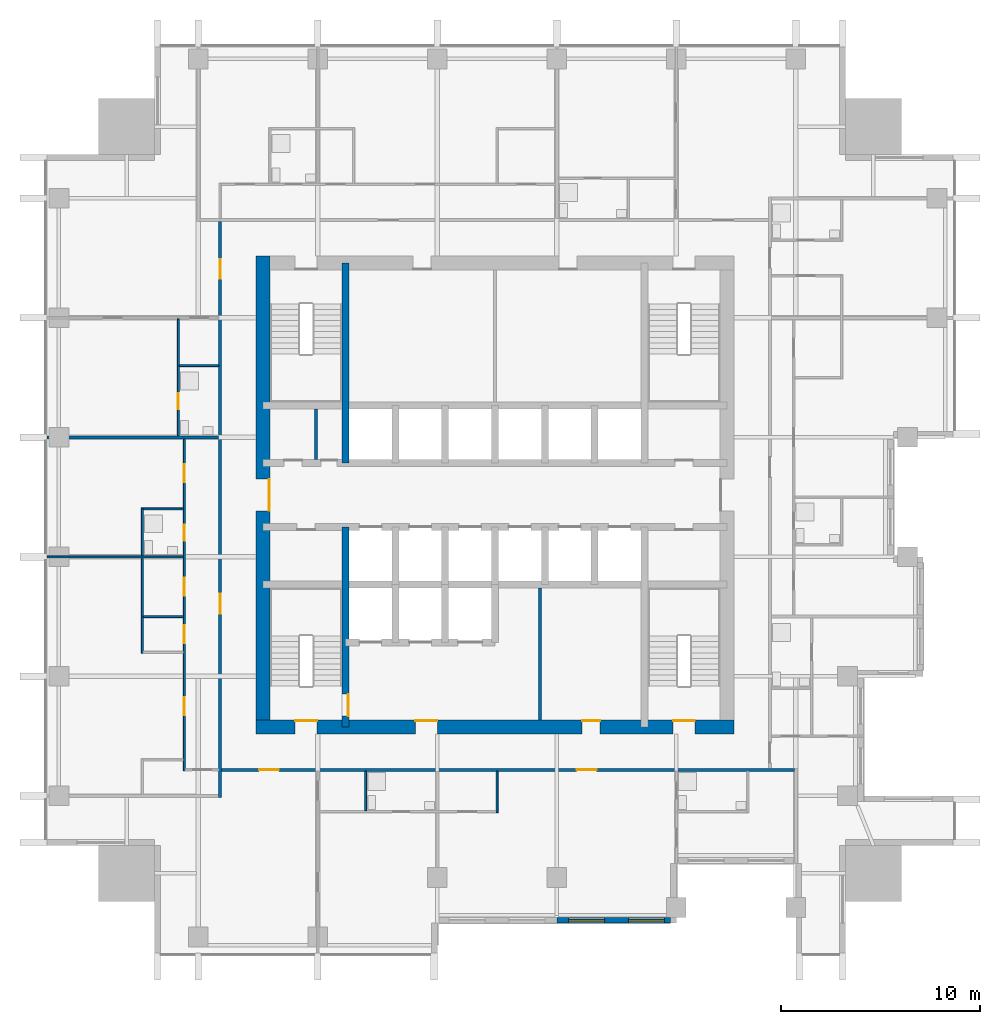
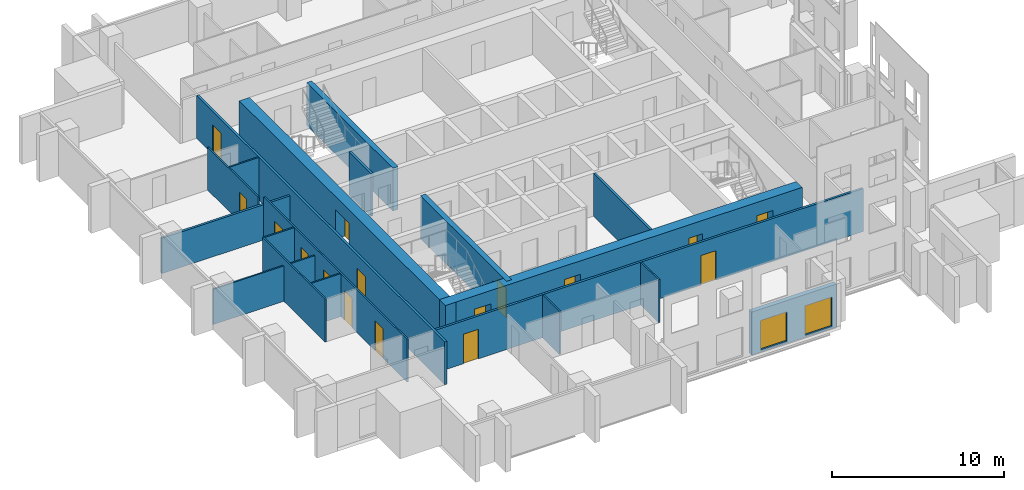
# One storey, part 4 of 11: 19 walls, 16 doors, 2 windows, 18 openings.
"""IFC4 building model written with IfcOpenShell, lengths in metres."""

from ifc_helpers import new_model, si_unit, direction, frame, frame_2d, origin, place, context, subcontext, project, spatial, rectangle, extrude, material, layer, layer_set, type_object, element, fill, save


model = new_model("IFC4")

# Units and contexts
model_context = context("Model", 3, precision=1e-05, world=origin(), true_north=direction((0.0, 1.0)))
body_context = subcontext(model_context, "Body", "Model", "MODEL_VIEW")
ifc_project = project(units=[si_unit("LENGTHUNIT", "METRE"), si_unit("AREAUNIT", "SQUARE_METRE"), si_unit("VOLUMEUNIT", "CUBIC_METRE"), si_unit("PLANEANGLEUNIT", "RADIAN"), si_unit("MASSUNIT", "GRAM", prefix="KILO")], contexts=[model_context])

# Site, building, storey
site_placement = place(None, origin())
site = spatial("IfcSite", under=ifc_project, at=site_placement, CompositionType="ELEMENT")
building_placement = place(site_placement, origin())
building = spatial("IfcBuilding", under=site, at=building_placement, Name="Amberfall Residences", CompositionType="ELEMENT")
storey_placement = place(building_placement, frame((0.0, 0.0, 143.800048828125)))
storey = spatial("IfcBuildingStorey", under=building, at=storey_placement, Name="L38", CompositionType="ELEMENT", Elevation=143.800048828125)

# Wall, openings, windows
ifc_material_1 = material(Name="Pale stone cladding on insulated backing", Category="masonry")
ifc_layer_1 = layer(ifc_material_1, 0.300048828125)
ifc_layer_set_1 = layer_set([ifc_layer_1], Name="Bronze clad wall 300")
wall_type_1 = type_object("IfcWallType", Name="Bronze clad wall 300", PredefinedType="SOLIDWALL", material=ifc_layer_set_1)
wall_1_placement = place(storey_placement, frame((77.60009765625, 24.14990234375, 0.0), z_axis=(0.0, 0.0, 1.0), x_axis=(1.0, 0.0, 0.0)))
wall_1 = element("IfcWall", 1, at=wall_1_placement, inside=storey, type_object=wall_type_1, Name="Stone wall L38 S", PredefinedType="SOLIDWALL", context=body_context, shape_type="SweptSolid", body=[
    extrude(rectangle(XDim=5.699951171875, YDim=0.300048828125, at=frame_2d((2.85009765625, 0.0))), origin(), (0.0, 0.0, 1.0), 3.050048828125),
])
opening_1_placement = place(wall_1_placement, frame((0.60009765625, 0.0, 0.14990234375)))
opening_1 = element("IfcOpeningElement", 2, at=opening_1_placement, cuts=wall_1, Name="Opening WN6", PredefinedType="OPENING", context=body_context, shape_type="SweptSolid", body=[
    extrude(rectangle(XDim=1.800048828125, YDim=2.10009765625, at=frame_2d((0.89990234375, 1.050048828125))), frame((0.0, 0.159912109375, 0.0), z_axis=(0.0, -1.0, 0.0), x_axis=(1.0, 0.0, 0.0)), (0.0, 0.0, 1.0), 0.320068359375),
])
opening_2_placement = place(wall_1_placement, frame((3.60009765625, 0.0, 0.14990234375)))
opening_2 = element("IfcOpeningElement", 3, at=opening_2_placement, cuts=wall_1, Name="Opening WN6", PredefinedType="OPENING", context=body_context, shape_type="SweptSolid", body=[
    extrude(rectangle(XDim=1.800048828125, YDim=2.10009765625, at=frame_2d((0.89990234375, 1.050048828125))), frame((0.0, 0.159912109375, 0.0), z_axis=(0.0, -1.0, 0.0), x_axis=(1.0, 0.0, 0.0)), (0.0, 0.0, 1.0), 0.320068359375),
])
ifc_material_2 = material(Name="Bronze aluminium framed glazing", Category="aluminium")
window_type = type_object("IfcWindowType", Name="Glazed opening 1800 x 2100 bronze", PartitioningType="DOUBLE_PANEL_VERTICAL", PredefinedType="WINDOW", material=ifc_material_2)
window_1_placement = place(opening_1_placement, origin())
window_1 = element("IfcWindow", 4, at=window_1_placement, inside=storey, type_object=window_type, Name="Window L38 S", OverallHeight=2.10009765625, OverallWidth=1.800048828125, PartitioningType="DOUBLE_PANEL_VERTICAL", PredefinedType="WINDOW", context=body_context, shape_type="SweptSolid", body=[
    extrude(rectangle(XDim=1.800048828125, YDim=2.10009765625, at=frame_2d((0.89990234375, 1.050048828125))), frame((0.0, 0.030029296875, 0.0), z_axis=(0.0, -1.0, 0.0), x_axis=(1.0, 0.0, 0.0)), (0.0, 0.0, 1.0), 0.06005859375),
])
fill(opening_1, window_1)
window_2_placement = place(opening_2_placement, origin())
window_2 = element("IfcWindow", 5, at=window_2_placement, inside=storey, type_object=window_type, Name="Window L38 S", OverallHeight=2.10009765625, OverallWidth=1.800048828125, PartitioningType="DOUBLE_PANEL_VERTICAL", PredefinedType="WINDOW", context=body_context, shape_type="SweptSolid", body=[
    extrude(rectangle(XDim=1.800048828125, YDim=2.10009765625, at=frame_2d((0.89990234375, 1.050048828125))), frame((0.0, 0.030029296875, 0.0), z_axis=(0.0, -1.0, 0.0), x_axis=(1.0, 0.0, 0.0)), (0.0, 0.0, 1.0), 0.06005859375),
])
fill(opening_2, window_2)

# Wall, opening, door
ifc_material_3 = material(Name="Concrete C60", Category="concrete")
ifc_layer_2 = layer(ifc_material_3, 0.35009765625)
ifc_layer_set_2 = layer_set([ifc_layer_2], Name="Core wall 350 C60")
wall_type_2 = type_object("IfcWallType", Name="Core wall 350 C60", PredefinedType="SHEAR", material=ifc_layer_set_2)
wall_2_placement = place(storey_placement, frame((67.0, 33.85009765625, 0.0), z_axis=(0.0, 0.0, 1.0), x_axis=(0.0, 1.0, 0.0)))
wall_2 = element("IfcWall", 6, at=wall_2_placement, inside=storey, type_object=wall_type_2, Name="Core wall RW6 L38 V45S", PredefinedType="SHEAR", context=body_context, shape_type="SweptSolid", body=[
    extrude(rectangle(XDim=10.0498046875, YDim=0.35009765625, at=frame_2d((5.02490234375, 0.0))), origin(), (0.0, 0.0, 1.0), 3.050048828125),
])
opening_3_placement = place(wall_2_placement, frame((0.550048828125, 0.0, 0.0)))
opening_3 = element("IfcOpeningElement", 7, at=opening_3_placement, cuts=wall_2, Name="Opening FL1", PredefinedType="OPENING", context=body_context, shape_type="SweptSolid", body=[
    extrude(rectangle(XDim=1.10009765625, YDim=2.10009765625, at=frame_2d((0.550048828125, 1.050048828125))), frame((0.0, 0.18505859375, 0.0), z_axis=(0.0, -1.0, 0.0), x_axis=(1.0, 0.0, 0.0)), (0.0, 0.0, 1.0), 0.3701171875),
])
ifc_material_4 = material(Name="Steel fire door set", Category="steel")
door_type_1 = type_object("IfcDoorType", Name="Firefighting lobby door 1100 x 2100", OperationType="SINGLE_SWING_LEFT", PredefinedType="DOOR", material=ifc_material_4)
door_1_placement = place(opening_3_placement, origin())
door_1 = element("IfcDoor", 8, at=door_1_placement, inside=storey, type_object=door_type_1, Name="FL1 L38", OperationType="SINGLE_SWING_RIGHT", OverallHeight=2.10009765625, OverallWidth=1.10009765625, PredefinedType="DOOR", context=body_context, shape_type="SweptSolid", body=[
    extrude(rectangle(XDim=1.10009765625, YDim=2.10009765625, at=frame_2d((0.550048828125, 1.050048828125))), frame((0.0, -0.1123046875, 0.0), z_axis=(0.0, -1.0, 0.0), x_axis=(1.0, 0.0, 0.0)), (0.0, 0.0, 1.0), 0.050048828125),
])
fill(opening_3, door_1)

# Wall
wall_3_placement = place(storey_placement, frame((67.0, 47.10009765625, 0.0), z_axis=(0.0, 0.0, 1.0), x_axis=(0.0, 1.0, 0.0)))
element("IfcWall", 9, at=wall_3_placement, inside=storey, type_object=wall_type_2, Name="Core wall RW6 L38 V45N", PredefinedType="SHEAR", context=body_context, shape_type="SweptSolid", body=[
    extrude(rectangle(XDim=10.0498046875, YDim=0.35009765625, at=frame_2d((5.02490234375, 0.0))), origin(), (0.0, 0.0, 1.0), 3.050048828125),
])

# Wall, openings, doors
ifc_layer_3 = layer(ifc_material_3, 0.699951171875)
ifc_layer_set_3 = layer_set([ifc_layer_3], Name="Core wall 700 C60")
wall_type_3 = type_object("IfcWallType", Name="Core wall 700 C60", PredefinedType="SHEAR", material=ifc_layer_set_3)
wall_4_placement = place(storey_placement, frame((62.5, 33.85009765625, 0.0), z_axis=(0.0, 0.0, 1.0), x_axis=(1.0, 0.0, 0.0)))
wall_4 = element("IfcWall", 10, at=wall_4_placement, inside=storey, type_object=wall_type_3, Name="Core wall RW5 L38 OS", PredefinedType="SHEAR", context=body_context, shape_type="SweptSolid", body=[
    extrude(rectangle(XDim=24.0, YDim=0.699951171875, at=frame_2d((12.0, 0.0))), origin(), (0.0, 0.0, 1.0), 3.050048828125),
])
opening_4_placement = place(wall_4_placement, frame((1.96240234375, 0.0, 0.0)))
opening_4 = element("IfcOpeningElement", 11, at=opening_4_placement, cuts=wall_4, Name="Opening SD1", PredefinedType="OPENING", context=body_context, shape_type="SweptSolid", body=[
    extrude(rectangle(XDim=1.10009765625, YDim=2.10009765625, at=frame_2d((0.550048828125, 1.050048828125))), frame((0.0, 0.35986328125, 0.0), z_axis=(0.0, -1.0, 0.0), x_axis=(1.0, 0.0, 0.0)), (0.0, 0.0, 1.0), 0.719970703125),
])
opening_5_placement = place(wall_4_placement, frame((20.9375, 0.0, 0.0)))
opening_5 = element("IfcOpeningElement", 12, at=opening_5_placement, cuts=wall_4, Name="Opening SD1", PredefinedType="OPENING", context=body_context, shape_type="SweptSolid", body=[
    extrude(rectangle(XDim=1.10009765625, YDim=2.10009765625, at=frame_2d((0.550048828125, 1.050048828125))), frame((0.0, 0.35986328125, 0.0), z_axis=(0.0, -1.0, 0.0), x_axis=(1.0, 0.0, 0.0)), (0.0, 0.0, 1.0), 0.719970703125),
])
opening_6_placement = place(wall_4_placement, frame((8.0, 0.0, 0.0)))
opening_6 = element("IfcOpeningElement", 13, at=opening_6_placement, cuts=wall_4, Name="Opening FL1", PredefinedType="OPENING", context=body_context, shape_type="SweptSolid", body=[
    extrude(rectangle(XDim=1.10009765625, YDim=2.10009765625, at=frame_2d((0.550048828125, 1.050048828125))), frame((0.0, 0.35986328125, 0.0), z_axis=(0.0, -1.0, 0.0), x_axis=(1.0, 0.0, 0.0)), (0.0, 0.0, 1.0), 0.719970703125),
])
opening_7_placement = place(wall_4_placement, frame((16.375, 0.0, 0.0)))
opening_7 = element("IfcOpeningElement", 14, at=opening_7_placement, cuts=wall_4, Name="Opening RD1", PredefinedType="OPENING", context=body_context, shape_type="SweptSolid", body=[
    extrude(rectangle(XDim=0.89990234375, YDim=2.10009765625, at=frame_2d((0.449951171875, 1.050048828125))), frame((0.0, 0.35986328125, 0.0), z_axis=(0.0, -1.0, 0.0), x_axis=(1.0, 0.0, 0.0)), (0.0, 0.0, 1.0), 0.719970703125),
])
door_2_placement = place(opening_6_placement, origin())
door_2 = element("IfcDoor", 15, at=door_2_placement, inside=storey, type_object=door_type_1, Name="FL1 L38", OperationType="SINGLE_SWING_LEFT", OverallHeight=2.10009765625, OverallWidth=1.10009765625, PredefinedType="DOOR", context=body_context, shape_type="SweptSolid", body=[
    extrude(rectangle(XDim=1.10009765625, YDim=2.10009765625, at=frame_2d((0.550048828125, 1.050048828125))), frame((0.0, 0.33740234375, 0.0), z_axis=(0.0, -1.0, 0.0), x_axis=(1.0, 0.0, 0.0)), (0.0, 0.0, 1.0), 0.050048828125),
])
fill(opening_6, door_2)
door_type_2 = type_object("IfcDoorType", Name="Service room door 900 x 2100", OperationType="SINGLE_SWING_LEFT", PredefinedType="DOOR", material=ifc_material_4)
door_3_placement = place(opening_7_placement, origin())
door_3 = element("IfcDoor", 16, at=door_3_placement, inside=storey, type_object=door_type_2, Name="RD1 L38", OperationType="SINGLE_SWING_LEFT", OverallHeight=2.10009765625, OverallWidth=0.89990234375, PredefinedType="DOOR", context=body_context, shape_type="SweptSolid", body=[
    extrude(rectangle(XDim=0.89990234375, YDim=2.10009765625, at=frame_2d((0.449951171875, 1.050048828125))), frame((0.0, 0.33740234375, 0.0), z_axis=(0.0, -1.0, 0.0), x_axis=(1.0, 0.0, 0.0)), (0.0, 0.0, 1.0), 0.050048828125),
])
fill(opening_7, door_3)
door_type_3 = type_object("IfcDoorType", Name="Stair door 1100 x 2100", OperationType="SINGLE_SWING_LEFT", PredefinedType="DOOR", material=ifc_material_4)
door_4_placement = place(opening_4_placement, origin())
door_4 = element("IfcDoor", 17, at=door_4_placement, inside=storey, type_object=door_type_3, Name="SD1 L38", OperationType="SINGLE_SWING_LEFT", OverallHeight=2.10009765625, OverallWidth=1.10009765625, PredefinedType="DOOR", context=body_context, shape_type="SweptSolid", body=[
    extrude(rectangle(XDim=1.10009765625, YDim=2.10009765625, at=frame_2d((0.550048828125, 1.050048828125))), frame((0.0, 0.33740234375, 0.0), z_axis=(0.0, -1.0, 0.0), x_axis=(1.0, 0.0, 0.0)), (0.0, 0.0, 1.0), 0.050048828125),
])
fill(opening_4, door_4)
door_5_placement = place(opening_5_placement, origin())
door_5 = element("IfcDoor", 18, at=door_5_placement, inside=storey, type_object=door_type_3, Name="SD1 L38", OperationType="SINGLE_SWING_RIGHT", OverallHeight=2.10009765625, OverallWidth=1.10009765625, PredefinedType="DOOR", context=body_context, shape_type="SweptSolid", body=[
    extrude(rectangle(XDim=1.10009765625, YDim=2.10009765625, at=frame_2d((0.550048828125, 1.050048828125))), frame((0.0, 0.33740234375, 0.0), z_axis=(0.0, -1.0, 0.0), x_axis=(1.0, 0.0, 0.0)), (0.0, 0.0, 1.0), 0.050048828125),
])
fill(opening_5, door_5)

# Wall, opening, door
wall_5_placement = place(storey_placement, frame((62.85009765625, 33.5, 0.0), z_axis=(0.0, 0.0, 1.0), x_axis=(0.0, 1.0, 0.0)))
wall_5 = element("IfcWall", 19, at=wall_5_placement, inside=storey, type_object=wall_type_3, Name="Core wall RW5 L38 OW", PredefinedType="SHEAR", context=body_context, shape_type="SweptSolid", body=[
    extrude(rectangle(XDim=24.0, YDim=0.699951171875, at=frame_2d((12.0, 0.0))), origin(), (0.0, 0.0, 1.0), 3.050048828125),
])
opening_8_placement = place(wall_5_placement, frame((11.199951171875, 0.0, 0.0)))
opening_8 = element("IfcOpeningElement", 20, at=opening_8_placement, cuts=wall_5, Name="Opening LB1", PredefinedType="OPENING", context=body_context, shape_type="SweptSolid", body=[
    extrude(rectangle(XDim=1.60009765625, YDim=2.10009765625, at=frame_2d((0.800048828125, 1.050048828125))), frame((0.0, 0.35986328125, 0.0), z_axis=(0.0, -1.0, 0.0), x_axis=(1.0, 0.0, 0.0)), (0.0, 0.0, 1.0), 0.719970703125),
])
door_type_4 = type_object("IfcDoorType", Name="Lift lobby double door 1600 x 2100", OperationType="DOUBLE_DOOR_SINGLE_SWING", PredefinedType="DOOR", material=ifc_material_4)
door_6_placement = place(opening_8_placement, origin())
door_6 = element("IfcDoor", 21, at=door_6_placement, inside=storey, type_object=door_type_4, Name="LB1 L38", OperationType="DOUBLE_DOOR_SINGLE_SWING", OverallHeight=2.10009765625, OverallWidth=1.60009765625, PredefinedType="DOOR", context=body_context, shape_type="SweptSolid", body=[
    extrude(rectangle(XDim=1.60009765625, YDim=2.10009765625, at=frame_2d((0.800048828125, 1.050048828125))), frame((0.0, -0.28759765625, 0.0), z_axis=(0.0, -1.0, 0.0), x_axis=(1.0, 0.0, 0.0)), (0.0, 0.0, 1.0), 0.050048828125),
])
fill(opening_8, door_6)

# Wall
ifc_material_5 = material(Name="Gypsum board on metal stud")
ifc_layer_4 = layer(ifc_material_5, 0.10009765625)
ifc_layer_set_4 = layer_set([ifc_layer_4], Name="Flat partition 100")
wall_type_4 = type_object("IfcWallType", Name="Flat partition 100", PredefinedType="PARTITIONING", material=ifc_layer_set_4)
wall_6_placement = place(storey_placement, frame((56.800048828125, 37.550048828125, 0.0), z_axis=(0.0, 0.0, 1.0), x_axis=(0.0, 1.0, 0.0)))
element("IfcWall", 22, at=wall_6_placement, inside=storey, type_object=wall_type_4, Name="Partition 002", PredefinedType="PARTITIONING", context=body_context, shape_type="SweptSolid", body=[
    extrude(rectangle(XDim=7.300048828125, YDim=0.10009765625, at=frame_2d((3.64990234375, 0.0))), origin(), (0.0, 0.0, 1.0), 3.050048828125),
])

# Wall, opening, door
wall_7_placement = place(storey_placement, frame((58.60009765625, 54.35009765625, 0.0), z_axis=(0.0, 0.0, 1.0), x_axis=(0.0, -1.0, 0.0)))
wall_7 = element("IfcWall", 23, at=wall_7_placement, inside=storey, type_object=wall_type_4, Name="Partition 003", PredefinedType="PARTITIONING", context=body_context, shape_type="SweptSolid", body=[
    extrude(rectangle(XDim=5.875, YDim=0.10009765625, at=frame_2d((2.9375, 0.0))), origin(), (0.0, 0.0, 1.0), 3.050048828125),
])
opening_9_placement = place(wall_7_placement, frame((3.75, 0.0, 0.0)))
opening_9 = element("IfcOpeningElement", 24, at=opening_9_placement, cuts=wall_7, Name="Opening D42", PredefinedType="OPENING", context=body_context, shape_type="SweptSolid", body=[
    extrude(rectangle(XDim=0.800048828125, YDim=2.10009765625, at=frame_2d((0.39990234375, 1.050048828125))), frame((0.0, 0.06005859375, 0.0), z_axis=(0.0, -1.0, 0.0), x_axis=(1.0, 0.0, 0.0)), (0.0, 0.0, 1.0), 0.1201171875),
])
ifc_material_6 = material(Name="Timber", Category="wood")
door_type_5 = type_object("IfcDoorType", Name="Bathroom door 800 x 2100", OperationType="SINGLE_SWING_LEFT", PredefinedType="DOOR", material=ifc_material_6)
door_7_placement = place(opening_9_placement, origin())
door_7 = element("IfcDoor", 25, at=door_7_placement, inside=storey, type_object=door_type_5, Name="Door 3809 bath1", OperationType="SINGLE_SWING_LEFT", OverallHeight=2.10009765625, OverallWidth=0.800048828125, PredefinedType="DOOR", context=body_context, shape_type="SweptSolid", body=[
    extrude(rectangle(XDim=0.800048828125, YDim=2.10009765625, at=frame_2d((0.39990234375, 1.050048828125))), frame((0.0, 0.02490234375, 0.0), z_axis=(0.0, -1.0, 0.0), x_axis=(1.0, 0.0, 0.0)), (0.0, 0.0, 1.0), 0.050048828125),
])
fill(opening_9, door_7)

# Wall, openings, doors
wall_8_placement = place(storey_placement, frame((58.89990234375, 31.64990234375, 0.0), z_axis=(0.0, 0.0, 1.0), x_axis=(0.0, 1.0, 0.0)))
wall_8 = element("IfcWall", 26, at=wall_8_placement, inside=storey, type_object=wall_type_4, Name="Partition 004", PredefinedType="PARTITIONING", context=body_context, shape_type="SweptSolid", body=[
    extrude(rectangle(XDim=16.675048828125, YDim=0.10009765625, at=frame_2d((8.33740234375, 0.0))), origin(), (0.0, 0.0, 1.0), 3.050048828125),
])
opening_10_placement = place(wall_8_placement, frame((2.800048828125, 0.0, 0.0)))
opening_10 = element("IfcOpeningElement", 27, at=opening_10_placement, cuts=wall_8, Name="Opening D41", PredefinedType="OPENING", context=body_context, shape_type="SweptSolid", body=[
    extrude(rectangle(XDim=0.89990234375, YDim=2.10009765625, at=frame_2d((0.449951171875, 1.050048828125))), frame((0.0, 0.06005859375, 0.0), z_axis=(0.0, -1.0, 0.0), x_axis=(1.0, 0.0, 0.0)), (0.0, 0.0, 1.0), 0.1201171875),
])
opening_11_placement = place(wall_8_placement, frame((8.800048828125, 0.0, 0.0)))
opening_11 = element("IfcOpeningElement", 28, at=opening_11_placement, cuts=wall_8, Name="Opening D41", PredefinedType="OPENING", context=body_context, shape_type="SweptSolid", body=[
    extrude(rectangle(XDim=0.89990234375, YDim=2.10009765625, at=frame_2d((0.449951171875, 1.050048828125))), frame((0.0, 0.06005859375, 0.0), z_axis=(0.0, -1.0, 0.0), x_axis=(1.0, 0.0, 0.0)), (0.0, 0.0, 1.0), 0.1201171875),
])
opening_12_placement = place(wall_8_placement, frame((6.39990234375, 0.0, 0.0)))
opening_12 = element("IfcOpeningElement", 29, at=opening_12_placement, cuts=wall_8, Name="Opening D41", PredefinedType="OPENING", context=body_context, shape_type="SweptSolid", body=[
    extrude(rectangle(XDim=0.89990234375, YDim=2.10009765625, at=frame_2d((0.449951171875, 1.050048828125))), frame((0.0, 0.06005859375, 0.0), z_axis=(0.0, -1.0, 0.0), x_axis=(1.0, 0.0, 0.0)), (0.0, 0.0, 1.0), 0.1201171875),
])
opening_13_placement = place(wall_8_placement, frame((14.5, 0.0, 0.0)))
opening_13 = element("IfcOpeningElement", 30, at=opening_13_placement, cuts=wall_8, Name="Opening D41", PredefinedType="OPENING", context=body_context, shape_type="SweptSolid", body=[
    extrude(rectangle(XDim=0.89990234375, YDim=2.10009765625, at=frame_2d((0.449951171875, 1.050048828125))), frame((0.0, 0.06005859375, 0.0), z_axis=(0.0, -1.0, 0.0), x_axis=(1.0, 0.0, 0.0)), (0.0, 0.0, 1.0), 0.1201171875),
])
opening_14_placement = place(wall_8_placement, frame((11.550048828125, 0.0, 0.0)))
opening_14 = element("IfcOpeningElement", 31, at=opening_14_placement, cuts=wall_8, Name="Opening D42", PredefinedType="OPENING", context=body_context, shape_type="SweptSolid", body=[
    extrude(rectangle(XDim=0.800048828125, YDim=2.10009765625, at=frame_2d((0.39990234375, 1.050048828125))), frame((0.0, 0.06005859375, 0.0), z_axis=(0.0, -1.0, 0.0), x_axis=(1.0, 0.0, 0.0)), (0.0, 0.0, 1.0), 0.1201171875),
])
door_8_placement = place(opening_14_placement, origin())
door_8 = element("IfcDoor", 32, at=door_8_placement, inside=storey, type_object=door_type_5, Name="Door 3808 bath1", OperationType="SINGLE_SWING_LEFT", OverallHeight=2.10009765625, OverallWidth=0.800048828125, PredefinedType="DOOR", context=body_context, shape_type="SweptSolid", body=[
    extrude(rectangle(XDim=0.800048828125, YDim=2.10009765625, at=frame_2d((0.39990234375, 1.050048828125))), frame((0.0, 0.02490234375, 0.0), z_axis=(0.0, -1.0, 0.0), x_axis=(1.0, 0.0, 0.0)), (0.0, 0.0, 1.0), 0.050048828125),
])
fill(opening_14, door_8)
door_type_6 = type_object("IfcDoorType", Name="Internal door 900 x 2100", OperationType="SINGLE_SWING_LEFT", PredefinedType="DOOR", material=ifc_material_6)
door_9_placement = place(opening_10_placement, origin())
door_9 = element("IfcDoor", 33, at=door_9_placement, inside=storey, type_object=door_type_6, Name="Door 3808 living", OperationType="SINGLE_SWING_LEFT", OverallHeight=2.10009765625, OverallWidth=0.89990234375, PredefinedType="DOOR", context=body_context, shape_type="SweptSolid", body=[
    extrude(rectangle(XDim=0.89990234375, YDim=2.10009765625, at=frame_2d((0.449951171875, 1.050048828125))), frame((0.0, 0.02490234375, 0.0), z_axis=(0.0, -1.0, 0.0), x_axis=(1.0, 0.0, 0.0)), (0.0, 0.0, 1.0), 0.050048828125),
])
fill(opening_10, door_9)
door_10_placement = place(opening_11_placement, origin())
door_10 = element("IfcDoor", 34, at=door_10_placement, inside=storey, type_object=door_type_6, Name="Door 3808 kitchen", OperationType="SINGLE_SWING_LEFT", OverallHeight=2.10009765625, OverallWidth=0.89990234375, PredefinedType="DOOR", context=body_context, shape_type="SweptSolid", body=[
    extrude(rectangle(XDim=0.89990234375, YDim=2.10009765625, at=frame_2d((0.449951171875, 1.050048828125))), frame((0.0, 0.02490234375, 0.0), z_axis=(0.0, -1.0, 0.0), x_axis=(1.0, 0.0, 0.0)), (0.0, 0.0, 1.0), 0.050048828125),
])
fill(opening_11, door_10)
door_11_placement = place(opening_12_placement, origin())
door_11 = element("IfcDoor", 35, at=door_11_placement, inside=storey, type_object=door_type_6, Name="Door 3808 utility", OperationType="SINGLE_SWING_LEFT", OverallHeight=2.10009765625, OverallWidth=0.89990234375, PredefinedType="DOOR", context=body_context, shape_type="SweptSolid", body=[
    extrude(rectangle(XDim=0.89990234375, YDim=2.10009765625, at=frame_2d((0.449951171875, 1.050048828125))), frame((0.0, 0.02490234375, 0.0), z_axis=(0.0, -1.0, 0.0), x_axis=(1.0, 0.0, 0.0)), (0.0, 0.0, 1.0), 0.050048828125),
])
fill(opening_12, door_11)
door_12_placement = place(opening_13_placement, origin())
door_12 = element("IfcDoor", 36, at=door_12_placement, inside=storey, type_object=door_type_6, Name="Door 3808 bedroom1", OperationType="SINGLE_SWING_LEFT", OverallHeight=2.10009765625, OverallWidth=0.89990234375, PredefinedType="DOOR", context=body_context, shape_type="SweptSolid", body=[
    extrude(rectangle(XDim=0.89990234375, YDim=2.10009765625, at=frame_2d((0.449951171875, 1.050048828125))), frame((0.0, 0.02490234375, 0.0), z_axis=(0.0, -1.0, 0.0), x_axis=(1.0, 0.0, 0.0)), (0.0, 0.0, 1.0), 0.050048828125),
])
fill(opening_13, door_12)

# Walls
wall_9_placement = place(storey_placement, frame((68.0, 29.64990234375, 0.0), z_axis=(0.0, 0.0, 1.0), x_axis=(0.0, 1.0, 0.0)))
element("IfcWall", 37, at=wall_9_placement, inside=storey, type_object=wall_type_4, Name="Partition 010", PredefinedType="PARTITIONING", context=body_context, shape_type="SweptSolid", body=[
    extrude(rectangle(XDim=1.97509765625, YDim=0.10009765625, at=frame_2d((0.987548828125, 0.0))), origin(), (0.0, 0.0, 1.0), 3.050048828125),
])
wall_10_placement = place(storey_placement, frame((74.60009765625, 29.550048828125, 0.0), z_axis=(0.0, 0.0, 1.0), x_axis=(0.0, 1.0, 0.0)))
element("IfcWall", 38, at=wall_10_placement, inside=storey, type_object=wall_type_4, Name="Partition 011", PredefinedType="PARTITIONING", context=body_context, shape_type="SweptSolid", body=[
    extrude(rectangle(XDim=2.074951171875, YDim=0.10009765625, at=frame_2d((1.03759765625, 0.0))), origin(), (0.0, 0.0, 1.0), 3.050048828125),
])
wall_11_placement = place(storey_placement, frame((58.64990234375, 52.0, 0.0), z_axis=(0.0, 0.0, 1.0), x_axis=(1.0, 0.0, 0.0)))
element("IfcWall", 39, at=wall_11_placement, inside=storey, type_object=wall_type_4, Name="Partition 029", PredefinedType="PARTITIONING", context=body_context, shape_type="SweptSolid", body=[
    extrude(rectangle(XDim=1.97509765625, YDim=0.10009765625, at=frame_2d((0.987548828125, 0.0))), origin(), (0.0, 0.0, 1.0), 3.050048828125),
])
wall_12_placement = place(storey_placement, frame((56.85009765625, 44.800048828125, 0.0), z_axis=(0.0, 0.0, 1.0), x_axis=(1.0, 0.0, 0.0)))
element("IfcWall", 40, at=wall_12_placement, inside=storey, type_object=wall_type_4, Name="Partition 032", PredefinedType="PARTITIONING", context=body_context, shape_type="SweptSolid", body=[
    extrude(rectangle(XDim=2.0, YDim=0.10009765625, at=frame_2d((1.0, 0.0))), origin(), (0.0, 0.0, 1.0), 3.050048828125),
])
wall_13_placement = place(storey_placement, frame((52.0, 42.39990234375, 0.0), z_axis=(0.0, 0.0, 1.0), x_axis=(1.0, 0.0, 0.0)))
element("IfcWall", 41, at=wall_13_placement, inside=storey, type_object=wall_type_4, Name="Partition 034", PredefinedType="PARTITIONING", context=body_context, shape_type="SweptSolid", body=[
    extrude(rectangle(XDim=6.85009765625, YDim=0.10009765625, at=frame_2d((3.425048828125, 0.0))), origin(), (0.0, 0.0, 1.0), 2.515869140625),
])
wall_14_placement = place(storey_placement, frame((56.85009765625, 39.39990234375, 0.0), z_axis=(0.0, 0.0, 1.0), x_axis=(1.0, 0.0, 0.0)))
element("IfcWall", 42, at=wall_14_placement, inside=storey, type_object=wall_type_4, Name="Partition 035", PredefinedType="PARTITIONING", context=body_context, shape_type="SweptSolid", body=[
    extrude(rectangle(XDim=2.0, YDim=0.10009765625, at=frame_2d((1.0, 0.0))), origin(), (0.0, 0.0, 1.0), 3.050048828125),
])

# Wall, openings, doors
ifc_material_7 = material(Name="Blockwork, plastered", Category="masonry")
ifc_layer_5 = layer(ifc_material_7, 0.14990234375)
ifc_layer_set_5 = layer_set([ifc_layer_5], Name="Flat separating wall 150")
wall_type_5 = type_object("IfcWallType", Name="Flat separating wall 150", PredefinedType="PARTITIONING", material=ifc_layer_set_5)
wall_15_placement = place(storey_placement, frame((60.699951171875, 30.324951171875, 0.0), z_axis=(0.0, 0.0, 1.0), x_axis=(0.0, 1.0, 0.0)))
wall_15 = element("IfcWall", 43, at=wall_15_placement, inside=storey, type_object=wall_type_5, Name="Separating wall 044", PredefinedType="PARTITIONING", context=body_context, shape_type="SweptSolid", body=[
    extrude(rectangle(XDim=28.900146484375, YDim=0.14990234375, at=frame_2d((14.4501953125, 0.0))), origin(), (0.0, 0.0, 1.0), 3.050048828125),
])
opening_15_placement = place(wall_15_placement, frame((9.22509765625, 0.0, 0.0)))
opening_15 = element("IfcOpeningElement", 44, at=opening_15_placement, cuts=wall_15, Name="Opening D40", PredefinedType="OPENING", context=body_context, shape_type="SweptSolid", body=[
    extrude(rectangle(XDim=1.0, YDim=2.10009765625, at=frame_2d((0.5, 1.050048828125))), frame((0.0, 0.0849609375, 0.0), z_axis=(0.0, -1.0, 0.0), x_axis=(1.0, 0.0, 0.0)), (0.0, 0.0, 1.0), 0.169921875),
])
opening_16_placement = place(wall_15_placement, frame((26.02490234375, 0.0, 0.0)))
opening_16 = element("IfcOpeningElement", 45, at=opening_16_placement, cuts=wall_15, Name="Opening D40", PredefinedType="OPENING", context=body_context, shape_type="SweptSolid", body=[
    extrude(rectangle(XDim=1.0, YDim=2.10009765625, at=frame_2d((0.5, 1.050048828125))), frame((0.0, 0.0849609375, 0.0), z_axis=(0.0, -1.0, 0.0), x_axis=(1.0, 0.0, 0.0)), (0.0, 0.0, 1.0), 0.169921875),
])
ifc_material_8 = material(Name="Timber, fire-rated", Category="wood")
door_type_7 = type_object("IfcDoorType", Name="Flat entrance door FD60 1000 x 2100", OperationType="SINGLE_SWING_LEFT", PredefinedType="DOOR", material=ifc_material_8)
door_13_placement = place(opening_15_placement, origin())
door_13 = element("IfcDoor", 46, at=door_13_placement, inside=storey, type_object=door_type_7, Name="Door 3808 entrance", OperationType="SINGLE_SWING_LEFT", OverallHeight=2.10009765625, OverallWidth=1.0, PredefinedType="DOOR", context=body_context, shape_type="SweptSolid", body=[
    extrude(rectangle(XDim=1.0, YDim=2.10009765625, at=frame_2d((0.5, 1.050048828125))), frame((0.0, 0.02490234375, 0.0), z_axis=(0.0, -1.0, 0.0), x_axis=(1.0, 0.0, 0.0)), (0.0, 0.0, 1.0), 0.050048828125),
])
fill(opening_15, door_13)
door_14_placement = place(opening_16_placement, origin())
door_14 = element("IfcDoor", 47, at=door_14_placement, inside=storey, type_object=door_type_7, Name="Door 3809 entrance", OperationType="SINGLE_SWING_LEFT", OverallHeight=2.10009765625, OverallWidth=1.0, PredefinedType="DOOR", context=body_context, shape_type="SweptSolid", body=[
    extrude(rectangle(XDim=1.0, YDim=2.10009765625, at=frame_2d((0.5, 1.050048828125))), frame((0.0, 0.02490234375, 0.0), z_axis=(0.0, -1.0, 0.0), x_axis=(1.0, 0.0, 0.0)), (0.0, 0.0, 1.0), 0.050048828125),
])
fill(opening_16, door_14)

# Wall
wall_16_placement = place(storey_placement, frame((52.0, 48.39990234375, 0.0), z_axis=(0.0, 0.0, 1.0), x_axis=(1.0, 0.0, 0.0)))
element("IfcWall", 48, at=wall_16_placement, inside=storey, type_object=wall_type_5, Name="Separating wall 052", PredefinedType="PARTITIONING", context=body_context, shape_type="SweptSolid", body=[
    extrude(rectangle(XDim=8.625, YDim=0.14990234375, at=frame_2d((4.3125, 0.0))), origin(), (0.0, 0.0, 1.0), 2.515869140625),
])

# Wall, openings, doors
wall_17_placement = place(storey_placement, frame((89.52490234375, 31.699951171875, 0.0), z_axis=(0.0, 0.0, 1.0), x_axis=(-1.0, 0.0, 0.0)))
wall_17 = element("IfcWall", 49, at=wall_17_placement, inside=storey, type_object=wall_type_5, Name="Separating wall 054", PredefinedType="PARTITIONING", context=body_context, shape_type="SweptSolid", body=[
    extrude(rectangle(XDim=28.75, YDim=0.14990234375, at=frame_2d((14.375, 0.0))), origin(), (0.0, 0.0, 1.0), 3.050048828125),
])
opening_17_placement = place(wall_17_placement, frame((25.875, 0.0, 0.0)))
opening_17 = element("IfcOpeningElement", 50, at=opening_17_placement, cuts=wall_17, Name="Opening D40", PredefinedType="OPENING", context=body_context, shape_type="SweptSolid", body=[
    extrude(rectangle(XDim=1.0, YDim=2.10009765625, at=frame_2d((0.5, 1.050048828125))), frame((0.0, 0.0849609375, 0.0), z_axis=(0.0, -1.0, 0.0), x_axis=(1.0, 0.0, 0.0)), (0.0, 0.0, 1.0), 0.169921875),
])
opening_18_placement = place(wall_17_placement, frame((9.925048828125, 0.0, 0.0)))
opening_18 = element("IfcOpeningElement", 51, at=opening_18_placement, cuts=wall_17, Name="Opening D40", PredefinedType="OPENING", context=body_context, shape_type="SweptSolid", body=[
    extrude(rectangle(XDim=1.0, YDim=2.10009765625, at=frame_2d((0.5, 1.050048828125))), frame((0.0, 0.0849609375, 0.0), z_axis=(0.0, -1.0, 0.0), x_axis=(1.0, 0.0, 0.0)), (0.0, 0.0, 1.0), 0.169921875),
])
door_15_placement = place(opening_17_placement, origin())
door_15 = element("IfcDoor", 52, at=door_15_placement, inside=storey, type_object=door_type_7, Name="Door 3801 entrance", OperationType="SINGLE_SWING_LEFT", OverallHeight=2.10009765625, OverallWidth=1.0, PredefinedType="DOOR", context=body_context, shape_type="SweptSolid", body=[
    extrude(rectangle(XDim=1.0, YDim=2.10009765625, at=frame_2d((0.5, 1.050048828125))), frame((0.0, 0.02490234375, 0.0), z_axis=(0.0, -1.0, 0.0), x_axis=(1.0, 0.0, 0.0)), (0.0, 0.0, 1.0), 0.050048828125),
])
fill(opening_17, door_15)
door_16_placement = place(opening_18_placement, origin())
door_16 = element("IfcDoor", 53, at=door_16_placement, inside=storey, type_object=door_type_7, Name="Door 3802 entrance", OperationType="SINGLE_SWING_LEFT", OverallHeight=2.10009765625, OverallWidth=1.0, PredefinedType="DOOR", context=body_context, shape_type="SweptSolid", body=[
    extrude(rectangle(XDim=1.0, YDim=2.10009765625, at=frame_2d((0.5, 1.050048828125))), frame((0.0, 0.02490234375, 0.0), z_axis=(0.0, -1.0, 0.0), x_axis=(1.0, 0.0, 0.0)), (0.0, 0.0, 1.0), 0.050048828125),
])
fill(opening_18, door_16)

# Walls
ifc_material_9 = material(Name="Concrete blockwork", Category="masonry")
ifc_layer_6 = layer(ifc_material_9, 0.14990234375)
ifc_layer_set_6 = layer_set([ifc_layer_6], Name="Riser wall 150")
wall_type_6 = type_object("IfcWallType", Name="Riser wall 150", PredefinedType="PLUMBINGWALL", material=ifc_layer_set_6)
wall_18_placement = place(storey_placement, frame((76.75, 34.199951171875, 0.0), z_axis=(0.0, 0.0, 1.0), x_axis=(0.0, 1.0, 0.0)))
element("IfcWall", 54, at=wall_18_placement, inside=storey, type_object=wall_type_6, Name="L38 core wall PX", PredefinedType="PLUMBINGWALL", context=body_context, shape_type="SweptSolid", body=[
    extrude(rectangle(XDim=6.625, YDim=0.14990234375, at=frame_2d((3.3125, 0.0))), origin(), (0.0, 0.0, 1.0), 3.050048828125),
])
wall_19_placement = place(storey_placement, frame((65.52001953125, 47.27490234375, 0.0), z_axis=(0.0, 0.0, 1.0), x_axis=(0.0, 1.0, 0.0)))
element("IfcWall", 55, at=wall_19_placement, inside=storey, type_object=wall_type_6, Name="L38 core wall ANW0", PredefinedType="PLUMBINGWALL", context=body_context, shape_type="SweptSolid", body=[
    extrude(rectangle(XDim=2.550048828125, YDim=0.14990234375, at=frame_2d((1.27490234375, 0.0))), origin(), (0.0, 0.0, 1.0), 3.050048828125),
])

save(model, "model.ifc")
